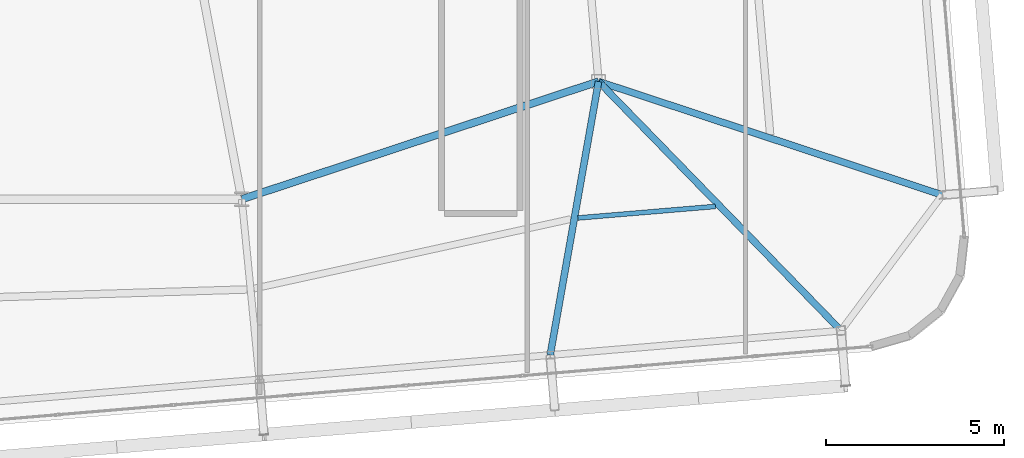
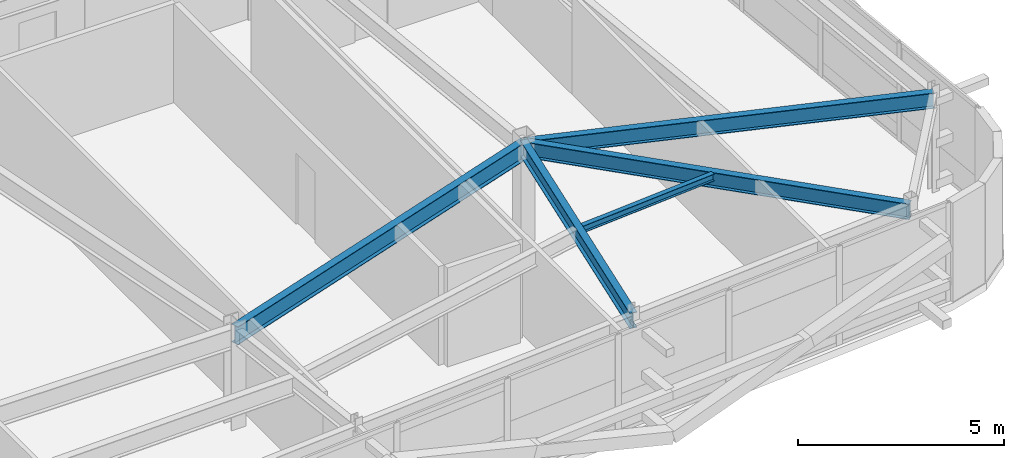
# One storey, part 21 of 46: 5 beams.
"""IFC4 building model written with IfcOpenShell, lengths in metres."""

from ifc_helpers import new_model, si_unit, direction, frame, origin, origin_2d, place, context, subcontext, project, spatial, i_section, extrude, source, transform, mapped, material, material_profile, profile_set, type_object, element, save


model = new_model("IFC4")

# Units and contexts
model_context = context("Model", 3, precision=1e-05, world=origin(), true_north=direction((0.0, 1.0)))
body_context = subcontext(model_context, "Body", "Model", "MODEL_VIEW")
ifc_project = project(units=[si_unit("LENGTHUNIT", "METRE"), si_unit("AREAUNIT", "SQUARE_METRE"), si_unit("VOLUMEUNIT", "CUBIC_METRE"), si_unit("PLANEANGLEUNIT", "RADIAN"), si_unit("MASSUNIT", "GRAM", prefix="KILO")], contexts=[model_context])

# Site, building, storey
site_placement = place(None, origin())
site = spatial("IfcSite", under=ifc_project, at=site_placement, CompositionType="ELEMENT")
building_placement = place(site_placement, origin())
building = spatial("IfcBuilding", under=site, at=building_placement, Name="Taldren Reach Tower", CompositionType="ELEMENT")
storey_placement = place(building_placement, frame((0.0, 0.0, 185.14990234375)))
storey = spatial("IfcBuildingStorey", under=building, at=storey_placement, Name="L56", CompositionType="ELEMENT", Elevation=185.14990234375)

# Beams
ifc_material_1 = material(Name="Steel Gr 350 (350PLUS)", Category="steel")
ifc_material_profile_1 = material_profile(ifc_material_1, i_section(OverallWidth=0.208984375, OverallDepth=0.532958984375, WebThickness=0.01025390625, FlangeThickness=0.015625, at=origin_2d()), Name="530UB92.4")
ifc_profile_set_1 = profile_set([ifc_material_profile_1], Name="Steel Gr 350 (350PLUS)")
beam_type_1 = type_object("IfcBeamType", Name="BM-UB530A", PredefinedType="BEAM", material=ifc_profile_set_1)
shared_shape_1 = source(origin(), body_context, "Body", "SweptSolid", [
    extrude(i_section(OverallWidth=0.208984375, OverallDepth=0.532958984375, WebThickness=0.01025390625, FlangeThickness=0.015625, at=origin_2d()), origin(), (0.0, 0.0, 1.0), 10.530517578125),
])
beam_1_placement = place(storey_placement, frame((42.0, 9.199951171875, 2.66357421875), z_axis=(0.949627269203, 0.313381635689, 0.0), x_axis=(-0.313381635689, 0.949627269203, 0.0)))
element("IfcBeam", 1, at=beam_1_placement, inside=storey, type_object=beam_type_1, Name="Core-spine girder L56-SP12", PredefinedType="BEAM", context=body_context, shape_type="MappedRepresentation", body=[
    mapped(shared_shape_1, transform((0.0, 0.0, 0.0), scale=1.0)),
])
ifc_material_profile_2 = material_profile(ifc_material_1, i_section(OverallWidth=0.19091796875, OverallDepth=0.4599609375, WebThickness=0.010009765625, FlangeThickness=0.01611328125, at=origin_2d()), Name="460UB82.1")
ifc_profile_set_2 = profile_set([ifc_material_profile_2], Name="Steel Gr 350 (350PLUS)")
beam_type_2 = type_object("IfcBeamType", Name="BM-UB460A", PredefinedType="BEAM", material=ifc_profile_set_2)
shared_shape_2 = source(origin(), body_context, "Body", "SweptSolid", [
    extrude(i_section(OverallWidth=0.19091796875, OverallDepth=0.4599609375, WebThickness=0.010009765625, FlangeThickness=0.01611328125, at=origin_2d()), origin(), (0.0, 0.0, 1.0), 7.786865234375),
])
beam_2_placement = place(storey_placement, frame((52.0, 12.5, 2.7001953125), z_axis=(-0.174041097858, -0.984738389755, 0.0), x_axis=(0.984738389755, -0.174041097858, 0.0)))
element("IfcBeam", 2, at=beam_2_placement, inside=storey, type_object=beam_type_2, Name="Primary floor girder B4-S5 L56", PredefinedType="BEAM", context=body_context, shape_type="MappedRepresentation", body=[
    mapped(shared_shape_2, transform((0.0, 0.0, 0.0), scale=1.0)),
])
shared_shape_3 = source(origin(), body_context, "Body", "SweptSolid", [
    extrude(i_section(OverallWidth=0.19091796875, OverallDepth=0.4599609375, WebThickness=0.010009765625, FlangeThickness=0.01611328125, at=origin_2d()), origin(), (0.0, 0.0, 1.0), 9.74462890625),
])
beam_3_placement = place(storey_placement, frame((52.0, 12.5, 2.7001953125), z_axis=(0.697420698235, -0.716661963323, 0.0), x_axis=(0.716661963323, 0.697420698235, 0.0)))
element("IfcBeam", 3, at=beam_3_placement, inside=storey, type_object=beam_type_2, Name="Primary floor girder B4-S6 L56", PredefinedType="BEAM", context=body_context, shape_type="MappedRepresentation", body=[
    mapped(shared_shape_3, transform((0.0, 0.0, 0.0), scale=1.0)),
])
shared_shape_4 = source(origin(), body_context, "Body", "SweptSolid", [
    extrude(i_section(OverallWidth=0.19091796875, OverallDepth=0.4599609375, WebThickness=0.010009765625, FlangeThickness=0.01611328125, at=origin_2d()), origin(), (0.0, 0.0, 1.0), 10.14990234375),
])
beam_4_placement = place(storey_placement, frame((52.0, 12.5, 2.7001953125), z_axis=(0.949576668396, -0.313534927619, 0.0), x_axis=(0.313534927619, 0.949576668396, 0.0)))
element("IfcBeam", 4, at=beam_4_placement, inside=storey, type_object=beam_type_2, Name="Primary floor girder B4-E1 L56", PredefinedType="BEAM", context=body_context, shape_type="MappedRepresentation", body=[
    mapped(shared_shape_4, transform((0.0, 0.0, 0.0), scale=1.0)),
])
ifc_material_2 = material(Name="Steel Gr 300 (300PLUS, 300 MPa)", Category="steel")
ifc_material_profile_3 = material_profile(ifc_material_2, i_section(OverallWidth=0.134033203125, OverallDepth=0.20703125, WebThickness=0.00634765625, FlangeThickness=0.009521484375, at=origin_2d()), Name="200UB29.8")
ifc_profile_set_3 = profile_set([ifc_material_profile_3], Name="Steel Gr 300 (300PLUS, 300 MPa)")
beam_type_3 = type_object("IfcBeamType", Name="JS-UB200", PredefinedType="JOIST", material=ifc_profile_set_3)
shared_shape_5 = source(origin(), body_context, "Body", "SweptSolid", [
    extrude(i_section(OverallWidth=0.134033203125, OverallDepth=0.20703125, WebThickness=0.00634765625, FlangeThickness=0.009521484375, at=origin_2d()), origin(), (0.0, 0.0, 1.0), 3.86767578125),
])
beam_5_placement = place(storey_placement, frame((51.4208984375, 8.67431640625, 2.82666015625), z_axis=(0.996495950743, 0.083641019557, 0.0), x_axis=(-0.083641019557, 0.996495950743, 0.0)))
element("IfcBeam", 5, at=beam_5_placement, inside=storey, type_object=beam_type_3, Name="Secondary floor joist B4 J5 L56", PredefinedType="JOIST", context=body_context, shape_type="MappedRepresentation", body=[
    mapped(shared_shape_5, transform((0.0, 0.0, 0.0), scale=1.0)),
])

save(model, "model.ifc")
